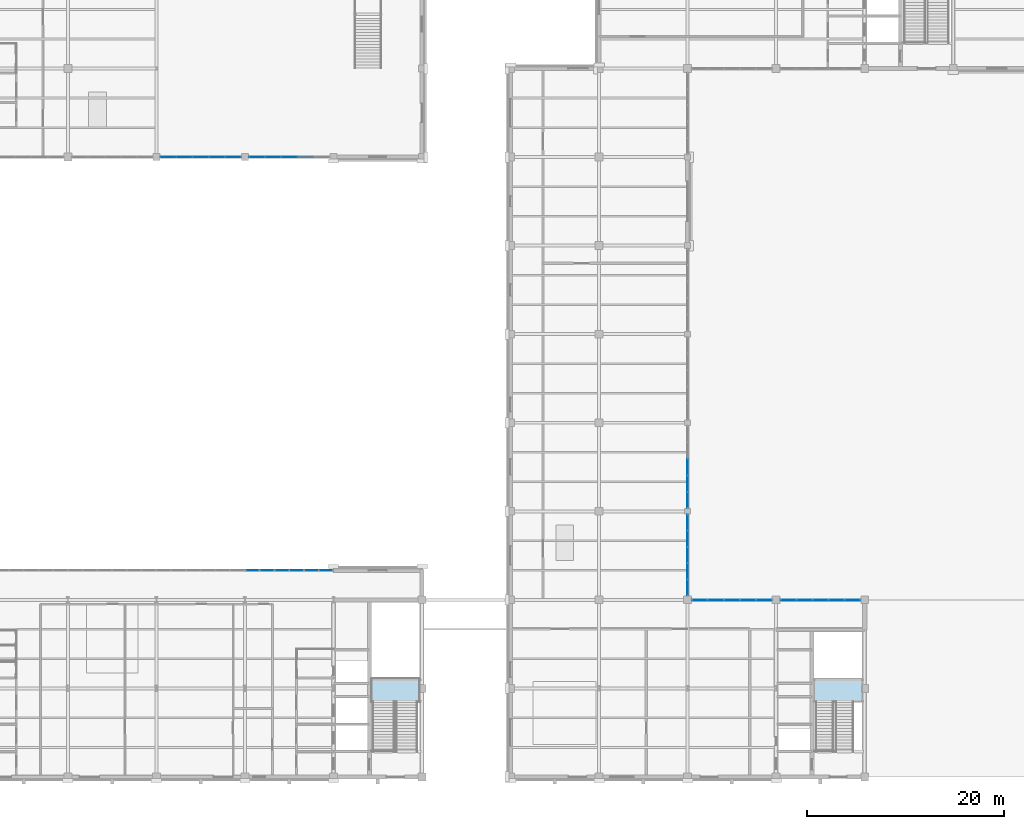
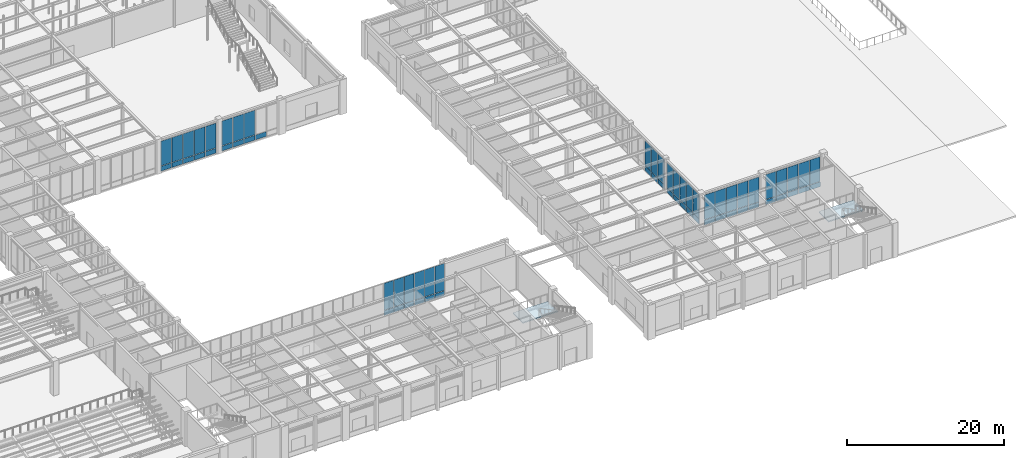
# One storey, part 54 of 77: 65 plates, 2 slabs, 9 elements without a shape of their own.
"""IFC4 building model written with IfcOpenShell, lengths in metres."""

from ifc_helpers import new_model, si_unit, direction, frame, origin, origin_2d, place, context, subcontext, project, spatial, polyline, rectangle, outline, extrude, material, layer, layer_set, type_object, element, aggregate, save


model = new_model("IFC4")

# Units and contexts
model_context = context("Model", 3, precision=1e-05, world=origin(), true_north=direction((0.0, 1.0)))
body_context = subcontext(model_context, "Body", "Model", "MODEL_VIEW")
ifc_project = project(units=[si_unit("LENGTHUNIT", "METRE"), si_unit("AREAUNIT", "SQUARE_METRE"), si_unit("VOLUMEUNIT", "CUBIC_METRE"), si_unit("PLANEANGLEUNIT", "RADIAN"), si_unit("MASSUNIT", "GRAM", prefix="KILO")], contexts=[model_context])

# Site, building, storey
site_placement = place(None, origin())
site = spatial("IfcSite", under=ifc_project, at=site_placement, CompositionType="ELEMENT")
building_placement = place(site_placement, origin())
building = spatial("IfcBuilding", under=site, at=building_placement, Name="Lykobir Media Centre", CompositionType="ELEMENT")
storey_placement = place(building_placement, origin())
storey = spatial("IfcBuildingStorey", under=building, at=storey_placement, Name="L00", CompositionType="ELEMENT", Elevation=0.0)

# Curtain wall, plates
ifc_material_1 = material(Name="Anodized Aluminium AW-6060", Category="aluminium")
curtain_wall_type = type_object("IfcCurtainWallType", Name="CW-COURT-A", PredefinedType="NOTDEFINED", material=ifc_material_1)
curtain_wall_1_placement = place(storey_placement, origin())
curtain_wall_1 = element("IfcCurtainWall", 1, at=curtain_wall_1_placement, inside=storey, type_object=curtain_wall_type, Name="Curtain wall CW2-L00-0001", PredefinedType="NOTDEFINED")
ifc_material_2 = material(Name="Low-E Laminated Triple Glazing", Category="glass")
ifc_layer_1 = layer(ifc_material_2, 0.0380859375, Name="Low-E Laminated Triple Glazing")
ifc_layer_set_1 = layer_set([ifc_layer_1], Name="Low-E Laminated Triple Glazing")
plate_type_1 = type_object("IfcPlateType", Name="CWP-GLZ-38", PredefinedType="CURTAIN_PANEL", material=ifc_layer_set_1)
plate_1_placement = place(storey_placement, frame((109.240234375, 18.0, 0.882568359375), z_axis=(0.0, 0.0, 1.0), x_axis=(1.0, 0.0, 0.0)))
plate_1 = element("IfcPlate", 2, at=plate_1_placement, type_object=plate_type_1, Name="CW2-L00-0001 panel 1.2", PredefinedType="CURTAIN_PANEL", context=body_context, shape_type="SweptSolid", body=[
    extrude(rectangle(XDim=1.54052734375, YDim=0.0380859375, at=origin_2d()), origin(), (0.0, 0.0, 1.0), 3.847412109375),
])
plate_2_placement = place(storey_placement, frame((110.862060546875, 18.0, 0.882568359375), z_axis=(0.0, 0.0, 1.0), x_axis=(1.0, 0.0, 0.0)))
plate_2 = element("IfcPlate", 3, at=plate_2_placement, type_object=plate_type_1, Name="CW2-L00-0001 panel 2.2", PredefinedType="CURTAIN_PANEL", context=body_context, shape_type="SweptSolid", body=[
    extrude(rectangle(XDim=1.572998046875, YDim=0.0380859375, at=origin_2d()), origin(), (0.0, 0.0, 1.0), 3.847412109375),
])
plate_3_placement = place(storey_placement, frame((112.5, 18.0, 0.882568359375), z_axis=(0.0, 0.0, 1.0), x_axis=(1.0, 0.0, 0.0)))
plate_3 = element("IfcPlate", 4, at=plate_3_placement, type_object=plate_type_1, Name="CW2-L00-0001 panel 3.2", PredefinedType="CURTAIN_PANEL", context=body_context, shape_type="SweptSolid", body=[
    extrude(rectangle(XDim=1.572998046875, YDim=0.0380859375, at=origin_2d()), origin(), (0.0, 0.0, 1.0), 3.847412109375),
])
plate_4_placement = place(storey_placement, frame((114.137939453125, 18.0, 0.882568359375), z_axis=(0.0, 0.0, 1.0), x_axis=(1.0, 0.0, 0.0)))
plate_4 = element("IfcPlate", 5, at=plate_4_placement, type_object=plate_type_1, Name="CW2-L00-0001 panel 4.2", PredefinedType="CURTAIN_PANEL", context=body_context, shape_type="SweptSolid", body=[
    extrude(rectangle(XDim=1.572998046875, YDim=0.0380859375, at=origin_2d()), origin(), (0.0, 0.0, 1.0), 3.847412109375),
])
plate_5_placement = place(storey_placement, frame((115.759765625, 18.0, 0.882568359375), z_axis=(0.0, 0.0, 1.0), x_axis=(1.0, 0.0, 0.0)))
plate_5 = element("IfcPlate", 6, at=plate_5_placement, type_object=plate_type_1, Name="CW2-L00-0001 panel 5.2", PredefinedType="CURTAIN_PANEL", context=body_context, shape_type="SweptSolid", body=[
    extrude(rectangle(XDim=1.54052734375, YDim=0.0380859375, at=origin_2d()), origin(), (0.0, 0.0, 1.0), 3.847412109375),
])

curtain_wall_2_placement = place(storey_placement, origin())
curtain_wall_2 = element("IfcCurtainWall", 7, at=curtain_wall_2_placement, inside=storey, type_object=curtain_wall_type, Name="Curtain wall CW2-L00-0002", PredefinedType="NOTDEFINED")
plate_6_placement = place(storey_placement, frame((118.240234375, 18.0, 0.882568359375), z_axis=(0.0, 0.0, 1.0), x_axis=(1.0, 0.0, 0.0)))
plate_6 = element("IfcPlate", 8, at=plate_6_placement, type_object=plate_type_1, Name="CW2-L00-0002 panel 1.2", PredefinedType="CURTAIN_PANEL", context=body_context, shape_type="SweptSolid", body=[
    extrude(rectangle(XDim=1.54052734375, YDim=0.0380859375, at=origin_2d()), origin(), (0.0, 0.0, 1.0), 3.847412109375),
])
plate_7_placement = place(storey_placement, frame((119.862060546875, 18.0, 0.882568359375), z_axis=(0.0, 0.0, 1.0), x_axis=(1.0, 0.0, 0.0)))
plate_7 = element("IfcPlate", 9, at=plate_7_placement, type_object=plate_type_1, Name="CW2-L00-0002 panel 2.2", PredefinedType="CURTAIN_PANEL", context=body_context, shape_type="SweptSolid", body=[
    extrude(rectangle(XDim=1.572998046875, YDim=0.0380859375, at=origin_2d()), origin(), (0.0, 0.0, 1.0), 3.847412109375),
])
plate_8_placement = place(storey_placement, frame((121.5, 18.0, 0.882568359375), z_axis=(0.0, 0.0, 1.0), x_axis=(1.0, 0.0, 0.0)))
plate_8 = element("IfcPlate", 10, at=plate_8_placement, type_object=plate_type_1, Name="CW2-L00-0002 panel 3.2", PredefinedType="CURTAIN_PANEL", context=body_context, shape_type="SweptSolid", body=[
    extrude(rectangle(XDim=1.572998046875, YDim=0.0380859375, at=origin_2d()), origin(), (0.0, 0.0, 1.0), 3.847412109375),
])
plate_9_placement = place(storey_placement, frame((123.137939453125, 18.0, 0.882568359375), z_axis=(0.0, 0.0, 1.0), x_axis=(1.0, 0.0, 0.0)))
plate_9 = element("IfcPlate", 11, at=plate_9_placement, type_object=plate_type_1, Name="CW2-L00-0002 panel 4.2", PredefinedType="CURTAIN_PANEL", context=body_context, shape_type="SweptSolid", body=[
    extrude(rectangle(XDim=1.572998046875, YDim=0.0380859375, at=origin_2d()), origin(), (0.0, 0.0, 1.0), 3.847412109375),
])
plate_10_placement = place(storey_placement, frame((124.759765625, 18.0, 0.882568359375), z_axis=(0.0, 0.0, 1.0), x_axis=(1.0, 0.0, 0.0)))
plate_10 = element("IfcPlate", 12, at=plate_10_placement, type_object=plate_type_1, Name="CW2-L00-0002 panel 5.2", PredefinedType="CURTAIN_PANEL", context=body_context, shape_type="SweptSolid", body=[
    extrude(rectangle(XDim=1.54052734375, YDim=0.0380859375, at=origin_2d()), origin(), (0.0, 0.0, 1.0), 3.847412109375),
])

curtain_wall_3_placement = place(storey_placement, origin())
curtain_wall_3 = element("IfcCurtainWall", 13, at=curtain_wall_3_placement, inside=storey, type_object=curtain_wall_type, Name="Curtain wall CW2-L00-0003", PredefinedType="NOTDEFINED")
plate_11_placement = place(storey_placement, frame((108.0, 25.849853515625, 0.882568359375), z_axis=(0.0, 0.0, 1.0), x_axis=(0.0, -1.0, 0.0)))
plate_11 = element("IfcPlate", 14, at=plate_11_placement, type_object=plate_type_1, Name="CW2-L00-0003 panel 1.2", PredefinedType="CURTAIN_PANEL", context=body_context, shape_type="SweptSolid", body=[
    extrude(rectangle(XDim=1.560546875, YDim=0.0380859375, at=origin_2d()), origin(), (0.0, 0.0, 1.0), 3.805419921875),
])
plate_12_placement = place(storey_placement, frame((108.0, 24.2080078125, 0.882568359375), z_axis=(0.0, 0.0, 1.0), x_axis=(0.0, -1.0, 0.0)))
plate_12 = element("IfcPlate", 15, at=plate_12_placement, type_object=plate_type_1, Name="CW2-L00-0003 panel 2.2", PredefinedType="CURTAIN_PANEL", context=body_context, shape_type="SweptSolid", body=[
    extrude(rectangle(XDim=1.593017578125, YDim=0.0380859375, at=origin_2d()), origin(), (0.0, 0.0, 1.0), 3.805419921875),
])
plate_13_placement = place(storey_placement, frame((108.0, 22.550048828125, 0.882568359375), z_axis=(0.0, 0.0, 1.0), x_axis=(0.0, -1.0, 0.0)))
plate_13 = element("IfcPlate", 16, at=plate_13_placement, type_object=plate_type_1, Name="CW2-L00-0003 panel 3.2", PredefinedType="CURTAIN_PANEL", context=body_context, shape_type="SweptSolid", body=[
    extrude(rectangle(XDim=1.593017578125, YDim=0.0380859375, at=origin_2d()), origin(), (0.0, 0.0, 1.0), 3.805419921875),
])
plate_14_placement = place(storey_placement, frame((108.0, 20.89208984375, 0.882568359375), z_axis=(0.0, 0.0, 1.0), x_axis=(0.0, -1.0, 0.0)))
plate_14 = element("IfcPlate", 17, at=plate_14_placement, type_object=plate_type_1, Name="CW2-L00-0003 panel 4.2", PredefinedType="CURTAIN_PANEL", context=body_context, shape_type="SweptSolid", body=[
    extrude(rectangle(XDim=1.593017578125, YDim=0.0380859375, at=origin_2d()), origin(), (0.0, 0.0, 1.0), 3.805419921875),
])
plate_15_placement = place(storey_placement, frame((108.0, 19.250244140625, 0.882568359375), z_axis=(0.0, 0.0, 1.0), x_axis=(0.0, -1.0, 0.0)))
plate_15 = element("IfcPlate", 18, at=plate_15_placement, type_object=plate_type_1, Name="CW2-L00-0003 panel 5.2", PredefinedType="CURTAIN_PANEL", context=body_context, shape_type="SweptSolid", body=[
    extrude(rectangle(XDim=1.560546875, YDim=0.0380859375, at=origin_2d()), origin(), (0.0, 0.0, 1.0), 3.805419921875),
])

curtain_wall_4_placement = place(storey_placement, origin())
curtain_wall_4 = element("IfcCurtainWall", 19, at=curtain_wall_4_placement, inside=storey, type_object=curtain_wall_type, Name="Curtain wall CW2-L00-0004", PredefinedType="NOTDEFINED")
plate_16_placement = place(storey_placement, frame((108.0, 31.5, 0.882568359375), z_axis=(0.0, 0.0, 1.0), x_axis=(0.0, -1.0, 0.0)))
plate_16 = element("IfcPlate", 20, at=plate_16_placement, type_object=plate_type_1, Name="CW2-L00-0004 panel 3.2", PredefinedType="CURTAIN_PANEL", context=body_context, shape_type="SweptSolid", body=[
    extrude(rectangle(XDim=1.613037109375, YDim=0.0380859375, at=origin_2d()), origin(), (0.0, 0.0, 1.0), 3.827392578125),
])
plate_17_placement = place(storey_placement, frame((108.0, 29.822021484375, 0.882568359375), z_axis=(0.0, 0.0, 1.0), x_axis=(0.0, -1.0, 0.0)))
plate_17 = element("IfcPlate", 21, at=plate_17_placement, type_object=plate_type_1, Name="CW2-L00-0004 panel 4.2", PredefinedType="CURTAIN_PANEL", context=body_context, shape_type="SweptSolid", body=[
    extrude(rectangle(XDim=1.613037109375, YDim=0.0380859375, at=origin_2d()), origin(), (0.0, 0.0, 1.0), 3.827392578125),
])
plate_18_placement = place(storey_placement, frame((108.0, 28.160400390625, 0.882568359375), z_axis=(0.0, 0.0, 1.0), x_axis=(0.0, -1.0, 0.0)))
plate_18 = element("IfcPlate", 22, at=plate_18_placement, type_object=plate_type_1, Name="CW2-L00-0004 panel 5.2", PredefinedType="CURTAIN_PANEL", context=body_context, shape_type="SweptSolid", body=[
    extrude(rectangle(XDim=1.58056640625, YDim=0.0380859375, at=origin_2d()), origin(), (0.0, 0.0, 1.0), 3.827392578125),
])

curtain_wall_5_placement = place(storey_placement, origin())
curtain_wall_5 = element("IfcCurtainWall", 23, at=curtain_wall_5_placement, inside=storey, type_object=curtain_wall_type, Name="Curtain wall CW2-L00-0013", PredefinedType="NOTDEFINED")
plate_19_placement = place(storey_placement, frame((63.76611328125, 21.0, 0.882568359375), z_axis=(0.0, 0.0, 1.0), x_axis=(1.0, 0.0, 0.0)))
plate_19 = element("IfcPlate", 24, at=plate_19_placement, type_object=plate_type_1, Name="CW2-L00-0013 panel 1.2", PredefinedType="CURTAIN_PANEL", context=body_context, shape_type="SweptSolid", body=[
    extrude(rectangle(XDim=1.402587890625, YDim=0.0380859375, at=origin_2d()), origin(), (0.0, 0.0, 1.0), 4.1923828125),
])
plate_20_placement = place(storey_placement, frame((65.25, 21.0, 0.882568359375), z_axis=(0.0, 0.0, 1.0), x_axis=(1.0, 0.0, 0.0)))
plate_20 = element("IfcPlate", 25, at=plate_20_placement, type_object=plate_type_1, Name="CW2-L00-0013 panel 2.2", PredefinedType="CURTAIN_PANEL", context=body_context, shape_type="SweptSolid", body=[
    extrude(rectangle(XDim=1.43505859375, YDim=0.0380859375, at=origin_2d()), origin(), (0.0, 0.0, 1.0), 4.1923828125),
])
plate_21_placement = place(storey_placement, frame((66.75, 21.0, 0.882568359375), z_axis=(0.0, 0.0, 1.0), x_axis=(1.0, 0.0, 0.0)))
plate_21 = element("IfcPlate", 26, at=plate_21_placement, type_object=plate_type_1, Name="CW2-L00-0013 panel 3.2", PredefinedType="CURTAIN_PANEL", context=body_context, shape_type="SweptSolid", body=[
    extrude(rectangle(XDim=1.43505859375, YDim=0.0380859375, at=origin_2d()), origin(), (0.0, 0.0, 1.0), 4.1923828125),
])
plate_22_placement = place(storey_placement, frame((68.25, 21.0, 0.882568359375), z_axis=(0.0, 0.0, 1.0), x_axis=(1.0, 0.0, 0.0)))
plate_22 = element("IfcPlate", 27, at=plate_22_placement, type_object=plate_type_1, Name="CW2-L00-0013 panel 4.2", PredefinedType="CURTAIN_PANEL", context=body_context, shape_type="SweptSolid", body=[
    extrude(rectangle(XDim=1.43505859375, YDim=0.0380859375, at=origin_2d()), origin(), (0.0, 0.0, 1.0), 4.1923828125),
])
plate_23_placement = place(storey_placement, frame((69.75, 21.0, 0.882568359375), z_axis=(0.0, 0.0, 1.0), x_axis=(1.0, 0.0, 0.0)))
plate_23 = element("IfcPlate", 28, at=plate_23_placement, type_object=plate_type_1, Name="CW2-L00-0013 panel 5.2", PredefinedType="CURTAIN_PANEL", context=body_context, shape_type="SweptSolid", body=[
    extrude(rectangle(XDim=1.43505859375, YDim=0.0380859375, at=origin_2d()), origin(), (0.0, 0.0, 1.0), 4.1923828125),
])
plate_24_placement = place(storey_placement, frame((71.23388671875, 21.0, 0.882568359375), z_axis=(0.0, 0.0, 1.0), x_axis=(1.0, 0.0, 0.0)))
plate_24 = element("IfcPlate", 29, at=plate_24_placement, type_object=plate_type_1, Name="CW2-L00-0013 panel 6.2", PredefinedType="CURTAIN_PANEL", context=body_context, shape_type="SweptSolid", body=[
    extrude(rectangle(XDim=1.402587890625, YDim=0.0380859375, at=origin_2d()), origin(), (0.0, 0.0, 1.0), 4.1923828125),
])

curtain_wall_6_placement = place(storey_placement, origin())
curtain_wall_6 = element("IfcCurtainWall", 30, at=curtain_wall_6_placement, inside=storey, type_object=curtain_wall_type, Name="Curtain wall CW2-L00-0021", PredefinedType="NOTDEFINED")
plate_25_placement = place(storey_placement, frame((61.7998046875, 63.0, 0.882568359375), z_axis=(0.0, 0.0, 1.0), x_axis=(-1.0, 0.0, 0.0)))
plate_25 = element("IfcPlate", 31, at=plate_25_placement, type_object=plate_type_1, Name="CW2-L00-0021 panel 1.2", PredefinedType="CURTAIN_PANEL", context=body_context, shape_type="SweptSolid", body=[
    extrude(rectangle(XDim=1.560546875, YDim=0.0380859375, at=origin_2d()), origin(), (0.0, 0.0, 1.0), 3.847412109375),
])
plate_26_placement = place(storey_placement, frame((60.157958984375, 63.0, 0.882568359375), z_axis=(0.0, 0.0, 1.0), x_axis=(-1.0, 0.0, 0.0)))
plate_26 = element("IfcPlate", 32, at=plate_26_placement, type_object=plate_type_1, Name="CW2-L00-0021 panel 2.2", PredefinedType="CURTAIN_PANEL", context=body_context, shape_type="SweptSolid", body=[
    extrude(rectangle(XDim=1.593017578125, YDim=0.0380859375, at=origin_2d()), origin(), (0.0, 0.0, 1.0), 3.847412109375),
])
plate_27_placement = place(storey_placement, frame((58.5, 63.0, 0.882568359375), z_axis=(0.0, 0.0, 1.0), x_axis=(-1.0, 0.0, 0.0)))
plate_27 = element("IfcPlate", 33, at=plate_27_placement, type_object=plate_type_1, Name="CW2-L00-0021 panel 3.2", PredefinedType="CURTAIN_PANEL", context=body_context, shape_type="SweptSolid", body=[
    extrude(rectangle(XDim=1.593017578125, YDim=0.0380859375, at=origin_2d()), origin(), (0.0, 0.0, 1.0), 3.847412109375),
])
plate_28_placement = place(storey_placement, frame((56.842041015625, 63.0, 0.882568359375), z_axis=(0.0, 0.0, 1.0), x_axis=(-1.0, 0.0, 0.0)))
plate_28 = element("IfcPlate", 34, at=plate_28_placement, type_object=plate_type_1, Name="CW2-L00-0021 panel 4.2", PredefinedType="CURTAIN_PANEL", context=body_context, shape_type="SweptSolid", body=[
    extrude(rectangle(XDim=1.593017578125, YDim=0.0380859375, at=origin_2d()), origin(), (0.0, 0.0, 1.0), 3.847412109375),
])
plate_29_placement = place(storey_placement, frame((55.2001953125, 63.0, 0.882568359375), z_axis=(0.0, 0.0, 1.0), x_axis=(-1.0, 0.0, 0.0)))
plate_29 = element("IfcPlate", 35, at=plate_29_placement, type_object=plate_type_1, Name="CW2-L00-0021 panel 5.2", PredefinedType="CURTAIN_PANEL", context=body_context, shape_type="SweptSolid", body=[
    extrude(rectangle(XDim=1.560546875, YDim=0.0380859375, at=origin_2d()), origin(), (0.0, 0.0, 1.0), 3.847412109375),
])

curtain_wall_7_placement = place(storey_placement, origin())
curtain_wall_7 = element("IfcCurtainWall", 36, at=curtain_wall_7_placement, inside=storey, type_object=curtain_wall_type, Name="Curtain wall CW2-L00-0022", PredefinedType="NOTDEFINED")
plate_30_placement = place(storey_placement, frame((67.5, 63.0, 0.882568359375), z_axis=(0.0, 0.0, 1.0), x_axis=(-1.0, 0.0, 0.0)))
plate_30 = element("IfcPlate", 37, at=plate_30_placement, type_object=plate_type_1, Name="CW2-L00-0022 panel 3.2", PredefinedType="CURTAIN_PANEL", context=body_context, shape_type="SweptSolid", body=[
    extrude(rectangle(XDim=1.593017578125, YDim=0.0380859375, at=origin_2d()), origin(), (0.0, 0.0, 1.0), 3.847412109375),
])
plate_31_placement = place(storey_placement, frame((65.842041015625, 63.0, 0.882568359375), z_axis=(0.0, 0.0, 1.0), x_axis=(-1.0, 0.0, 0.0)))
plate_31 = element("IfcPlate", 38, at=plate_31_placement, type_object=plate_type_1, Name="CW2-L00-0022 panel 4.2", PredefinedType="CURTAIN_PANEL", context=body_context, shape_type="SweptSolid", body=[
    extrude(rectangle(XDim=1.593017578125, YDim=0.0380859375, at=origin_2d()), origin(), (0.0, 0.0, 1.0), 3.847412109375),
])
plate_32_placement = place(storey_placement, frame((64.2001953125, 63.0, 0.882568359375), z_axis=(0.0, 0.0, 1.0), x_axis=(-1.0, 0.0, 0.0)))
plate_32 = element("IfcPlate", 39, at=plate_32_placement, type_object=plate_type_1, Name="CW2-L00-0022 panel 5.2", PredefinedType="CURTAIN_PANEL", context=body_context, shape_type="SweptSolid", body=[
    extrude(rectangle(XDim=1.560546875, YDim=0.0380859375, at=origin_2d()), origin(), (0.0, 0.0, 1.0), 3.847412109375),
])

# Plate
ifc_material_3 = material(Name="Glazed Turquoise Terracotta", Category="masonry")
ifc_layer_2 = layer(ifc_material_3, 0.06005859375, Name="Glazed Turquoise Terracotta")
ifc_layer_set_2 = layer_set([ifc_layer_2], Name="Glazed Turquoise Terracotta")
plate_type_2 = type_object("IfcPlateType", Name="CWP-SPN-60", PredefinedType="CURTAIN_PANEL", material=ifc_layer_set_2)
plate_33_placement = place(storey_placement, frame((109.240234375, 18.0, 0.06494140625), z_axis=(0.0, 0.0, 1.0), x_axis=(1.0, 0.0, 0.0)))
plate_33 = element("IfcPlate", 40, at=plate_33_placement, type_object=plate_type_2, Name="CW2-L00-0001 panel 1.1", PredefinedType="CURTAIN_PANEL", context=body_context, shape_type="SweptSolid", body=[
    extrude(rectangle(XDim=1.54052734375, YDim=0.06005859375, at=origin_2d()), origin(), (0.0, 0.0, 1.0), 0.75244140625),
])

plate_34_placement = place(storey_placement, frame((110.862060546875, 18.0, 0.06494140625), z_axis=(0.0, 0.0, 1.0), x_axis=(1.0, 0.0, 0.0)))
plate_34 = element("IfcPlate", 41, at=plate_34_placement, type_object=plate_type_2, Name="CW2-L00-0001 panel 2.1", PredefinedType="CURTAIN_PANEL", context=body_context, shape_type="SweptSolid", body=[
    extrude(rectangle(XDim=1.572998046875, YDim=0.06005859375, at=origin_2d()), origin(), (0.0, 0.0, 1.0), 0.75244140625),
])

plate_35_placement = place(storey_placement, frame((112.5, 18.0, 0.06494140625), z_axis=(0.0, 0.0, 1.0), x_axis=(1.0, 0.0, 0.0)))
plate_35 = element("IfcPlate", 42, at=plate_35_placement, type_object=plate_type_2, Name="CW2-L00-0001 panel 3.1", PredefinedType="CURTAIN_PANEL", context=body_context, shape_type="SweptSolid", body=[
    extrude(rectangle(XDim=1.572998046875, YDim=0.06005859375, at=origin_2d()), origin(), (0.0, 0.0, 1.0), 0.75244140625),
])

plate_36_placement = place(storey_placement, frame((114.137939453125, 18.0, 0.06494140625), z_axis=(0.0, 0.0, 1.0), x_axis=(1.0, 0.0, 0.0)))
plate_36 = element("IfcPlate", 43, at=plate_36_placement, type_object=plate_type_2, Name="CW2-L00-0001 panel 4.1", PredefinedType="CURTAIN_PANEL", context=body_context, shape_type="SweptSolid", body=[
    extrude(rectangle(XDim=1.572998046875, YDim=0.06005859375, at=origin_2d()), origin(), (0.0, 0.0, 1.0), 0.75244140625),
])

plate_37_placement = place(storey_placement, frame((115.759765625, 18.0, 0.06494140625), z_axis=(0.0, 0.0, 1.0), x_axis=(1.0, 0.0, 0.0)))
plate_37 = element("IfcPlate", 44, at=plate_37_placement, type_object=plate_type_2, Name="CW2-L00-0001 panel 5.1", PredefinedType="CURTAIN_PANEL", context=body_context, shape_type="SweptSolid", body=[
    extrude(rectangle(XDim=1.54052734375, YDim=0.06005859375, at=origin_2d()), origin(), (0.0, 0.0, 1.0), 0.75244140625),
])

aggregate(curtain_wall_1, [plate_33, plate_1, plate_34, plate_2, plate_35, plate_3, plate_36, plate_4, plate_37, plate_5])

plate_38_placement = place(storey_placement, frame((118.240234375, 18.0, 0.06494140625), z_axis=(0.0, 0.0, 1.0), x_axis=(1.0, 0.0, 0.0)))
plate_38 = element("IfcPlate", 45, at=plate_38_placement, type_object=plate_type_2, Name="CW2-L00-0002 panel 1.1", PredefinedType="CURTAIN_PANEL", context=body_context, shape_type="SweptSolid", body=[
    extrude(rectangle(XDim=1.54052734375, YDim=0.06005859375, at=origin_2d()), origin(), (0.0, 0.0, 1.0), 0.75244140625),
])

plate_39_placement = place(storey_placement, frame((119.862060546875, 18.0, 0.06494140625), z_axis=(0.0, 0.0, 1.0), x_axis=(1.0, 0.0, 0.0)))
plate_39 = element("IfcPlate", 46, at=plate_39_placement, type_object=plate_type_2, Name="CW2-L00-0002 panel 2.1", PredefinedType="CURTAIN_PANEL", context=body_context, shape_type="SweptSolid", body=[
    extrude(rectangle(XDim=1.572998046875, YDim=0.06005859375, at=origin_2d()), origin(), (0.0, 0.0, 1.0), 0.75244140625),
])

plate_40_placement = place(storey_placement, frame((121.5, 18.0, 0.06494140625), z_axis=(0.0, 0.0, 1.0), x_axis=(1.0, 0.0, 0.0)))
plate_40 = element("IfcPlate", 47, at=plate_40_placement, type_object=plate_type_2, Name="CW2-L00-0002 panel 3.1", PredefinedType="CURTAIN_PANEL", context=body_context, shape_type="SweptSolid", body=[
    extrude(rectangle(XDim=1.572998046875, YDim=0.06005859375, at=origin_2d()), origin(), (0.0, 0.0, 1.0), 0.75244140625),
])

plate_41_placement = place(storey_placement, frame((123.137939453125, 18.0, 0.06494140625), z_axis=(0.0, 0.0, 1.0), x_axis=(1.0, 0.0, 0.0)))
plate_41 = element("IfcPlate", 48, at=plate_41_placement, type_object=plate_type_2, Name="CW2-L00-0002 panel 4.1", PredefinedType="CURTAIN_PANEL", context=body_context, shape_type="SweptSolid", body=[
    extrude(rectangle(XDim=1.572998046875, YDim=0.06005859375, at=origin_2d()), origin(), (0.0, 0.0, 1.0), 0.75244140625),
])

plate_42_placement = place(storey_placement, frame((124.759765625, 18.0, 0.06494140625), z_axis=(0.0, 0.0, 1.0), x_axis=(1.0, 0.0, 0.0)))
plate_42 = element("IfcPlate", 49, at=plate_42_placement, type_object=plate_type_2, Name="CW2-L00-0002 panel 5.1", PredefinedType="CURTAIN_PANEL", context=body_context, shape_type="SweptSolid", body=[
    extrude(rectangle(XDim=1.54052734375, YDim=0.06005859375, at=origin_2d()), origin(), (0.0, 0.0, 1.0), 0.75244140625),
])

aggregate(curtain_wall_2, [plate_38, plate_6, plate_39, plate_7, plate_40, plate_8, plate_41, plate_9, plate_42, plate_10])

plate_43_placement = place(storey_placement, frame((108.0, 25.849853515625, 0.06494140625), z_axis=(0.0, 0.0, 1.0), x_axis=(0.0, -1.0, 0.0)))
plate_43 = element("IfcPlate", 50, at=plate_43_placement, type_object=plate_type_2, Name="CW2-L00-0003 panel 1.1", PredefinedType="CURTAIN_PANEL", context=body_context, shape_type="SweptSolid", body=[
    extrude(rectangle(XDim=1.560546875, YDim=0.06005859375, at=origin_2d()), origin(), (0.0, 0.0, 1.0), 0.75244140625),
])

plate_44_placement = place(storey_placement, frame((108.0, 24.2080078125, 0.06494140625), z_axis=(0.0, 0.0, 1.0), x_axis=(0.0, -1.0, 0.0)))
plate_44 = element("IfcPlate", 51, at=plate_44_placement, type_object=plate_type_2, Name="CW2-L00-0003 panel 2.1", PredefinedType="CURTAIN_PANEL", context=body_context, shape_type="SweptSolid", body=[
    extrude(rectangle(XDim=1.593017578125, YDim=0.06005859375, at=origin_2d()), origin(), (0.0, 0.0, 1.0), 0.75244140625),
])

plate_45_placement = place(storey_placement, frame((108.0, 22.550048828125, 0.06494140625), z_axis=(0.0, 0.0, 1.0), x_axis=(0.0, -1.0, 0.0)))
plate_45 = element("IfcPlate", 52, at=plate_45_placement, type_object=plate_type_2, Name="CW2-L00-0003 panel 3.1", PredefinedType="CURTAIN_PANEL", context=body_context, shape_type="SweptSolid", body=[
    extrude(rectangle(XDim=1.593017578125, YDim=0.06005859375, at=origin_2d()), origin(), (0.0, 0.0, 1.0), 0.75244140625),
])

plate_46_placement = place(storey_placement, frame((108.0, 20.89208984375, 0.06494140625), z_axis=(0.0, 0.0, 1.0), x_axis=(0.0, -1.0, 0.0)))
plate_46 = element("IfcPlate", 53, at=plate_46_placement, type_object=plate_type_2, Name="CW2-L00-0003 panel 4.1", PredefinedType="CURTAIN_PANEL", context=body_context, shape_type="SweptSolid", body=[
    extrude(rectangle(XDim=1.593017578125, YDim=0.06005859375, at=origin_2d()), origin(), (0.0, 0.0, 1.0), 0.75244140625),
])

plate_47_placement = place(storey_placement, frame((108.0, 19.250244140625, 0.06494140625), z_axis=(0.0, 0.0, 1.0), x_axis=(0.0, -1.0, 0.0)))
plate_47 = element("IfcPlate", 54, at=plate_47_placement, type_object=plate_type_2, Name="CW2-L00-0003 panel 5.1", PredefinedType="CURTAIN_PANEL", context=body_context, shape_type="SweptSolid", body=[
    extrude(rectangle(XDim=1.560546875, YDim=0.06005859375, at=origin_2d()), origin(), (0.0, 0.0, 1.0), 0.75244140625),
])

aggregate(curtain_wall_3, [plate_43, plate_11, plate_44, plate_12, plate_45, plate_13, plate_46, plate_14, plate_47, plate_15])

plate_48_placement = place(storey_placement, frame((108.0, 31.5, 0.06494140625), z_axis=(0.0, 0.0, 1.0), x_axis=(0.0, -1.0, 0.0)))
plate_48 = element("IfcPlate", 55, at=plate_48_placement, type_object=plate_type_2, Name="CW2-L00-0004 panel 3.1", PredefinedType="CURTAIN_PANEL", context=body_context, shape_type="SweptSolid", body=[
    extrude(rectangle(XDim=1.613037109375, YDim=0.06005859375, at=origin_2d()), origin(), (0.0, 0.0, 1.0), 0.75244140625),
])

plate_49_placement = place(storey_placement, frame((108.0, 29.822021484375, 0.06494140625), z_axis=(0.0, 0.0, 1.0), x_axis=(0.0, -1.0, 0.0)))
plate_49 = element("IfcPlate", 56, at=plate_49_placement, type_object=plate_type_2, Name="CW2-L00-0004 panel 4.1", PredefinedType="CURTAIN_PANEL", context=body_context, shape_type="SweptSolid", body=[
    extrude(rectangle(XDim=1.613037109375, YDim=0.06005859375, at=origin_2d()), origin(), (0.0, 0.0, 1.0), 0.75244140625),
])

plate_50_placement = place(storey_placement, frame((108.0, 28.160400390625, 0.06494140625), z_axis=(0.0, 0.0, 1.0), x_axis=(0.0, -1.0, 0.0)))
plate_50 = element("IfcPlate", 57, at=plate_50_placement, type_object=plate_type_2, Name="CW2-L00-0004 panel 5.1", PredefinedType="CURTAIN_PANEL", context=body_context, shape_type="SweptSolid", body=[
    extrude(rectangle(XDim=1.58056640625, YDim=0.06005859375, at=origin_2d()), origin(), (0.0, 0.0, 1.0), 0.75244140625),
])

aggregate(curtain_wall_4, [plate_48, plate_16, plate_49, plate_17, plate_50, plate_18])

plate_51_placement = place(storey_placement, frame((63.76611328125, 21.0, 0.06494140625), z_axis=(0.0, 0.0, 1.0), x_axis=(1.0, 0.0, 0.0)))
plate_51 = element("IfcPlate", 58, at=plate_51_placement, type_object=plate_type_2, Name="CW2-L00-0013 panel 1.1", PredefinedType="CURTAIN_PANEL", context=body_context, shape_type="SweptSolid", body=[
    extrude(rectangle(XDim=1.402587890625, YDim=0.06005859375, at=origin_2d()), origin(), (0.0, 0.0, 1.0), 0.75244140625),
])

plate_52_placement = place(storey_placement, frame((65.25, 21.0, 0.06494140625), z_axis=(0.0, 0.0, 1.0), x_axis=(1.0, 0.0, 0.0)))
plate_52 = element("IfcPlate", 59, at=plate_52_placement, type_object=plate_type_2, Name="CW2-L00-0013 panel 2.1", PredefinedType="CURTAIN_PANEL", context=body_context, shape_type="SweptSolid", body=[
    extrude(rectangle(XDim=1.43505859375, YDim=0.06005859375, at=origin_2d()), origin(), (0.0, 0.0, 1.0), 0.75244140625),
])

plate_53_placement = place(storey_placement, frame((66.75, 21.0, 0.06494140625), z_axis=(0.0, 0.0, 1.0), x_axis=(1.0, 0.0, 0.0)))
plate_53 = element("IfcPlate", 60, at=plate_53_placement, type_object=plate_type_2, Name="CW2-L00-0013 panel 3.1", PredefinedType="CURTAIN_PANEL", context=body_context, shape_type="SweptSolid", body=[
    extrude(rectangle(XDim=1.43505859375, YDim=0.06005859375, at=origin_2d()), origin(), (0.0, 0.0, 1.0), 0.75244140625),
])

plate_54_placement = place(storey_placement, frame((68.25, 21.0, 0.06494140625), z_axis=(0.0, 0.0, 1.0), x_axis=(1.0, 0.0, 0.0)))
plate_54 = element("IfcPlate", 61, at=plate_54_placement, type_object=plate_type_2, Name="CW2-L00-0013 panel 4.1", PredefinedType="CURTAIN_PANEL", context=body_context, shape_type="SweptSolid", body=[
    extrude(rectangle(XDim=1.43505859375, YDim=0.06005859375, at=origin_2d()), origin(), (0.0, 0.0, 1.0), 0.75244140625),
])

plate_55_placement = place(storey_placement, frame((69.75, 21.0, 0.06494140625), z_axis=(0.0, 0.0, 1.0), x_axis=(1.0, 0.0, 0.0)))
plate_55 = element("IfcPlate", 62, at=plate_55_placement, type_object=plate_type_2, Name="CW2-L00-0013 panel 5.1", PredefinedType="CURTAIN_PANEL", context=body_context, shape_type="SweptSolid", body=[
    extrude(rectangle(XDim=1.43505859375, YDim=0.06005859375, at=origin_2d()), origin(), (0.0, 0.0, 1.0), 0.75244140625),
])

plate_56_placement = place(storey_placement, frame((71.23388671875, 21.0, 0.06494140625), z_axis=(0.0, 0.0, 1.0), x_axis=(1.0, 0.0, 0.0)))
plate_56 = element("IfcPlate", 63, at=plate_56_placement, type_object=plate_type_2, Name="CW2-L00-0013 panel 6.1", PredefinedType="CURTAIN_PANEL", context=body_context, shape_type="SweptSolid", body=[
    extrude(rectangle(XDim=1.402587890625, YDim=0.06005859375, at=origin_2d()), origin(), (0.0, 0.0, 1.0), 0.75244140625),
])

aggregate(curtain_wall_5, [plate_51, plate_19, plate_52, plate_20, plate_53, plate_21, plate_54, plate_22, plate_55, plate_23, plate_56, plate_24])

plate_57_placement = place(storey_placement, frame((61.7998046875, 63.0, 0.06494140625), z_axis=(0.0, 0.0, 1.0), x_axis=(-1.0, 0.0, 0.0)))
plate_57 = element("IfcPlate", 64, at=plate_57_placement, type_object=plate_type_2, Name="CW2-L00-0021 panel 1.1", PredefinedType="CURTAIN_PANEL", context=body_context, shape_type="SweptSolid", body=[
    extrude(rectangle(XDim=1.560546875, YDim=0.06005859375, at=origin_2d()), origin(), (0.0, 0.0, 1.0), 0.75244140625),
])

plate_58_placement = place(storey_placement, frame((60.157958984375, 63.0, 0.06494140625), z_axis=(0.0, 0.0, 1.0), x_axis=(-1.0, 0.0, 0.0)))
plate_58 = element("IfcPlate", 65, at=plate_58_placement, type_object=plate_type_2, Name="CW2-L00-0021 panel 2.1", PredefinedType="CURTAIN_PANEL", context=body_context, shape_type="SweptSolid", body=[
    extrude(rectangle(XDim=1.593017578125, YDim=0.06005859375, at=origin_2d()), origin(), (0.0, 0.0, 1.0), 0.75244140625),
])

plate_59_placement = place(storey_placement, frame((58.5, 63.0, 0.06494140625), z_axis=(0.0, 0.0, 1.0), x_axis=(-1.0, 0.0, 0.0)))
plate_59 = element("IfcPlate", 66, at=plate_59_placement, type_object=plate_type_2, Name="CW2-L00-0021 panel 3.1", PredefinedType="CURTAIN_PANEL", context=body_context, shape_type="SweptSolid", body=[
    extrude(rectangle(XDim=1.593017578125, YDim=0.06005859375, at=origin_2d()), origin(), (0.0, 0.0, 1.0), 0.75244140625),
])

plate_60_placement = place(storey_placement, frame((56.842041015625, 63.0, 0.06494140625), z_axis=(0.0, 0.0, 1.0), x_axis=(-1.0, 0.0, 0.0)))
plate_60 = element("IfcPlate", 67, at=plate_60_placement, type_object=plate_type_2, Name="CW2-L00-0021 panel 4.1", PredefinedType="CURTAIN_PANEL", context=body_context, shape_type="SweptSolid", body=[
    extrude(rectangle(XDim=1.593017578125, YDim=0.06005859375, at=origin_2d()), origin(), (0.0, 0.0, 1.0), 0.75244140625),
])

plate_61_placement = place(storey_placement, frame((55.2001953125, 63.0, 0.06494140625), z_axis=(0.0, 0.0, 1.0), x_axis=(-1.0, 0.0, 0.0)))
plate_61 = element("IfcPlate", 68, at=plate_61_placement, type_object=plate_type_2, Name="CW2-L00-0021 panel 5.1", PredefinedType="CURTAIN_PANEL", context=body_context, shape_type="SweptSolid", body=[
    extrude(rectangle(XDim=1.560546875, YDim=0.06005859375, at=origin_2d()), origin(), (0.0, 0.0, 1.0), 0.75244140625),
])

aggregate(curtain_wall_6, [plate_57, plate_25, plate_58, plate_26, plate_59, plate_27, plate_60, plate_28, plate_61, plate_29])

plate_62_placement = place(storey_placement, frame((69.157958984375, 63.0, 0.06494140625), z_axis=(0.0, 0.0, 1.0), x_axis=(-1.0, 0.0, 0.0)))
plate_62 = element("IfcPlate", 69, at=plate_62_placement, type_object=plate_type_2, Name="CW2-L00-0022 panel 2.1", PredefinedType="CURTAIN_PANEL", context=body_context, shape_type="SweptSolid", body=[
    extrude(rectangle(XDim=1.593017578125, YDim=0.06005859375, at=origin_2d()), origin(), (0.0, 0.0, 1.0), 0.75244140625),
])

plate_63_placement = place(storey_placement, frame((67.5, 63.0, 0.06494140625), z_axis=(0.0, 0.0, 1.0), x_axis=(-1.0, 0.0, 0.0)))
plate_63 = element("IfcPlate", 70, at=plate_63_placement, type_object=plate_type_2, Name="CW2-L00-0022 panel 3.1", PredefinedType="CURTAIN_PANEL", context=body_context, shape_type="SweptSolid", body=[
    extrude(rectangle(XDim=1.593017578125, YDim=0.06005859375, at=origin_2d()), origin(), (0.0, 0.0, 1.0), 0.75244140625),
])

plate_64_placement = place(storey_placement, frame((65.842041015625, 63.0, 0.06494140625), z_axis=(0.0, 0.0, 1.0), x_axis=(-1.0, 0.0, 0.0)))
plate_64 = element("IfcPlate", 71, at=plate_64_placement, type_object=plate_type_2, Name="CW2-L00-0022 panel 4.1", PredefinedType="CURTAIN_PANEL", context=body_context, shape_type="SweptSolid", body=[
    extrude(rectangle(XDim=1.593017578125, YDim=0.06005859375, at=origin_2d()), origin(), (0.0, 0.0, 1.0), 0.75244140625),
])

plate_65_placement = place(storey_placement, frame((64.2001953125, 63.0, 0.06494140625), z_axis=(0.0, 0.0, 1.0), x_axis=(-1.0, 0.0, 0.0)))
plate_65 = element("IfcPlate", 72, at=plate_65_placement, type_object=plate_type_2, Name="CW2-L00-0022 panel 5.1", PredefinedType="CURTAIN_PANEL", context=body_context, shape_type="SweptSolid", body=[
    extrude(rectangle(XDim=1.560546875, YDim=0.06005859375, at=origin_2d()), origin(), (0.0, 0.0, 1.0), 0.75244140625),
])

aggregate(curtain_wall_7, [plate_62, plate_63, plate_30, plate_64, plate_31, plate_65, plate_32])

# Stair, slab
ifc_material_4 = material(Name="Concrete C30/37", Category="concrete")
stair_type_1 = type_object("IfcStairType", Name="ST-AUX-540", PredefinedType="HALF_TURN_STAIR", material=ifc_material_4)
stair_1_placement = place(storey_placement, origin())
stair_1 = element("IfcStair", 73, at=stair_1_placement, inside=storey, type_object=stair_type_1, Name="Escape stair ST-5 L00", PredefinedType="HALF_TURN_STAIR")
ifc_layer_3 = layer(ifc_material_4, 0.18505859375, Name="Concrete C30/37")
ifc_layer_set_3 = layer_set([ifc_layer_3], Name="Concrete C30/37")
slab_type_1 = type_object("IfcSlabType", Name="SL-185", PredefinedType="LANDING", material=ifc_layer_set_3)
slab_1_placement = place(storey_placement, frame((0.0, 0.0, 2.514892578125)))
slab_1 = element("IfcSlab", 74, at=slab_1_placement, type_object=slab_type_1, Name="ST-5-L00 landing 1", PredefinedType="LANDING", context=body_context, shape_type="SweptSolid", body=[
    extrude(outline(polyline([(120.72998046875, 7.550048828125), (125.8701171875, 7.550048828125), (125.8701171875, 10.030029296875), (120.72998046875, 10.030029296875), (120.72998046875, 7.550048828125)])), origin(), (0.0, 0.0, 1.0), 0.18505859375),
])
aggregate(stair_1, [slab_1])

stair_type_2 = type_object("IfcStairType", Name="ST-HT-540", PredefinedType="HALF_TURN_STAIR", material=ifc_material_4)
stair_2_placement = place(storey_placement, origin())
stair_2 = element("IfcStair", 75, at=stair_2_placement, inside=storey, type_object=stair_type_2, Name="Escape stair ST-2 L00", PredefinedType="HALF_TURN_STAIR")
ifc_layer_4 = layer(ifc_material_4, 0.195068359375, Name="Concrete C30/37")
ifc_layer_set_4 = layer_set([ifc_layer_4], Name="Concrete C30/37")
slab_type_2 = type_object("IfcSlabType", Name="SL-195", PredefinedType="LANDING", material=ifc_layer_set_4)
slab_2_placement = place(storey_placement, frame((0.0, 0.0, 2.5048828125)))
slab_2 = element("IfcSlab", 76, at=slab_2_placement, type_object=slab_type_2, Name="ST-2-L00 landing 1", PredefinedType="LANDING", context=body_context, shape_type="SweptSolid", body=[
    extrude(outline(polyline([(75.72998046875, 7.550048828125), (80.8701171875, 7.550048828125), (80.8701171875, 10.030029296875), (75.72998046875, 10.030029296875), (75.72998046875, 7.550048828125)])), origin(), (0.0, 0.0, 1.0), 0.195068359375),
])
aggregate(stair_2, [slab_2])

save(model, "model.ifc")
